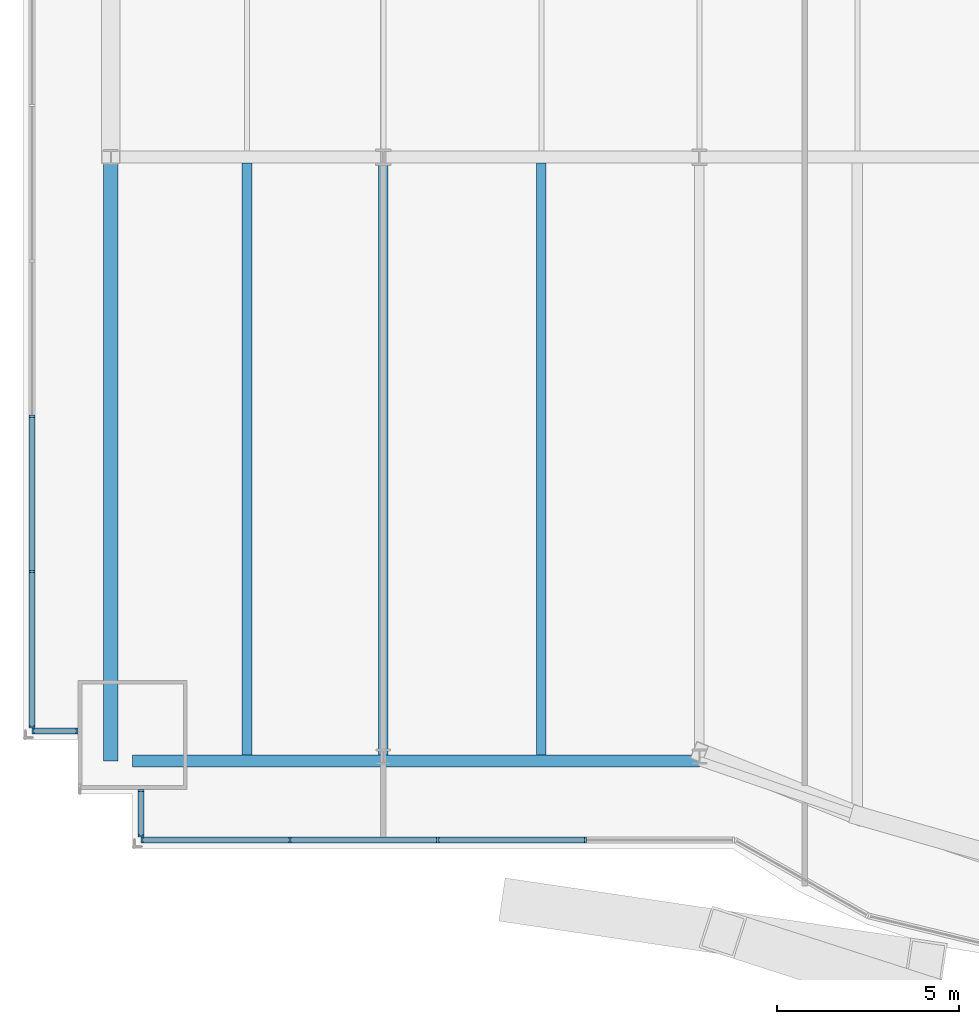
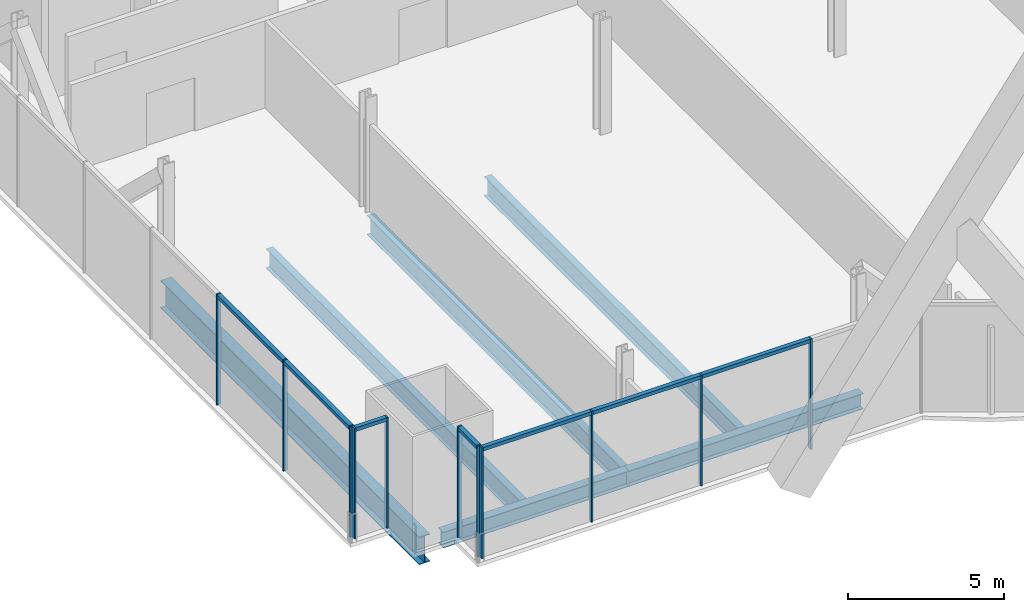
# One storey, part 4 of 23: 18 members, 6 beams, 4 elements without a shape of their own.
"""IFC4 building model written with IfcOpenShell, lengths in metres."""

from ifc_helpers import new_model, si_unit, direction, frame, origin, origin_2d, place, context, subcontext, project, spatial, rectangle, i_section, extrude, material, material_profile, profile_set, type_object, element, aggregate, save


model = new_model("IFC4")

# Units and contexts
model_context = context("Model", 3, precision=1e-05, world=origin(), true_north=direction((0.0, 1.0)))
body_context = subcontext(model_context, "Body", "Model", "MODEL_VIEW")
ifc_project = project(units=[si_unit("LENGTHUNIT", "METRE"), si_unit("AREAUNIT", "SQUARE_METRE"), si_unit("VOLUMEUNIT", "CUBIC_METRE"), si_unit("PLANEANGLEUNIT", "RADIAN"), si_unit("MASSUNIT", "GRAM", prefix="KILO")], contexts=[model_context])

# Site, building, storey
site_placement = place(None, origin())
site = spatial("IfcSite", under=ifc_project, at=site_placement, CompositionType="ELEMENT")
building_placement = place(site_placement, origin())
building = spatial("IfcBuilding", under=site, at=building_placement, Name="Bicima Exchange Tower", CompositionType="ELEMENT")
storey_placement = place(building_placement, frame((0.0, 0.0, 53.0)))
storey = spatial("IfcBuildingStorey", under=building, at=storey_placement, Name="L10", CompositionType="ELEMENT", Elevation=53.0)

# Curtain wall, members
ifc_material_1 = material(Name="Anodised bronze aluminium", Category="aluminium")
curtain_wall_type_1 = type_object("IfcCurtainWallType", Name="End face glass wall", PredefinedType="NOTDEFINED", material=ifc_material_1)
curtain_wall_1_placement = place(storey_placement, origin())
curtain_wall_1 = element("IfcCurtainWall", 1, at=curtain_wall_1_placement, inside=storey, type_object=curtain_wall_type_1, Name="End face glass wall L10 run 2", PredefinedType="NOTDEFINED")
ifc_material_profile_1 = material_profile(ifc_material_1, rectangle(XDim=0.159912109375, YDim=0.06005859375, at=origin_2d()))
ifc_profile_set_1 = profile_set([ifc_material_profile_1], Name="Anodised bronze aluminium")
member_type_1 = type_object("IfcMemberType", Name="End face glass wall mullion 60 x 160", PredefinedType="MULLION", material=ifc_profile_set_1)
member_1_placement = place(storey_placement, frame((-35.77001953125, -29.1328125, 0.0), z_axis=(0.0, 0.0, 1.0), x_axis=(1.0, 0.0, 0.0)))
member_1 = element("IfcMember", 2, at=member_1_placement, type_object=member_type_1, Name="End face glass wall mullion 5", PredefinedType="MULLION", context=body_context, shape_type="SweptSolid", body=[
    extrude(rectangle(XDim=0.159912109375, YDim=0.06005859375, at=origin_2d()), origin(), (0.0, 0.0, 1.0), 4.35009765625),
])
member_2_placement = place(storey_placement, frame((-35.77001953125, -33.408203125, 0.0), z_axis=(0.0, 0.0, 1.0), x_axis=(1.0, 0.0, 0.0)))
member_2 = element("IfcMember", 3, at=member_2_placement, type_object=member_type_1, Name="End face glass wall mullion 6", PredefinedType="MULLION", context=body_context, shape_type="SweptSolid", body=[
    extrude(rectangle(XDim=0.159912109375, YDim=0.06005859375, at=origin_2d()), origin(), (0.0, 0.0, 1.0), 4.35009765625),
])
member_3_placement = place(storey_placement, frame((-35.77001953125, -37.68408203125, 0.0), z_axis=(0.0, 0.0, 1.0), x_axis=(1.0, 0.0, 0.0)))
member_3 = element("IfcMember", 4, at=member_3_placement, type_object=member_type_1, Name="End face glass wall mullion 7", PredefinedType="MULLION", context=body_context, shape_type="SweptSolid", body=[
    extrude(rectangle(XDim=0.159912109375, YDim=0.06005859375, at=origin_2d()), origin(), (0.0, 0.0, 1.0), 4.35009765625),
])
ifc_material_profile_2 = material_profile(ifc_material_1, rectangle(XDim=0.159912109375, YDim=0.139892578125, at=origin_2d()))
ifc_profile_set_2 = profile_set([ifc_material_profile_2], Name="Anodised bronze aluminium")
member_type_2 = type_object("IfcMemberType", Name="End face glass wall transom 140 x 160", PredefinedType="USERDEFINED", material=ifc_profile_set_2)
member_4_placement = place(storey_placement, frame((-35.77001953125, -29.16259765625, 4.280029296875), z_axis=(0.0, -1.0, 0.0), x_axis=(1.0, 0.0, 0.0)))
member_4 = element("IfcMember", 5, at=member_4_placement, type_object=member_type_2, Name="End face glass wall transom 5.1", ObjectType="TRANSOM", PredefinedType="USERDEFINED", context=body_context, shape_type="SweptSolid", body=[
    extrude(rectangle(XDim=0.159912109375, YDim=0.139892578125, at=origin_2d()), origin(), (0.0, 0.0, 1.0), 4.2158203125),
])
member_5_placement = place(storey_placement, frame((-35.77001953125, -33.438232421875, 4.280029296875), z_axis=(0.0, -1.0, 0.0), x_axis=(1.0, 0.0, 0.0)))
member_5 = element("IfcMember", 6, at=member_5_placement, type_object=member_type_2, Name="End face glass wall transom 6.1", ObjectType="TRANSOM", PredefinedType="USERDEFINED", context=body_context, shape_type="SweptSolid", body=[
    extrude(rectangle(XDim=0.159912109375, YDim=0.139892578125, at=origin_2d()), origin(), (0.0, 0.0, 1.0), 4.2158203125),
])
aggregate(curtain_wall_1, [member_1, member_2, member_3, member_4, member_5])

# Beams
ifc_material_2 = material(Name="Steel ASTM A992 Gr 50", Category="steel")
ifc_material_profile_3 = material_profile(ifc_material_2, i_section(OverallWidth=0.4013671875, OverallDepth=1.089599609375, WebThickness=0.01806640625, FlangeThickness=0.031005859375, at=origin_2d()))
ifc_profile_set_3 = profile_set([ifc_material_profile_3], Name="Steel ASTM A992 Gr 50")
beam_type_1 = type_object("IfcBeamType", Name="End girder W44x230", PredefinedType="BEAM", material=ifc_profile_set_3)
beam_1_placement = place(storey_placement, frame((-33.60009765625, -22.0, -0.69482421875), z_axis=(0.0, -1.0, 0.0), x_axis=(1.0, 0.0, 0.0)))
element("IfcBeam", 7, at=beam_1_placement, inside=storey, type_object=beam_type_1, Name="End girder", PredefinedType="BEAM", context=body_context, shape_type="SweptSolid", body=[
    extrude(i_section(OverallWidth=0.4013671875, OverallDepth=1.089599609375, WebThickness=0.01806640625, FlangeThickness=0.031005859375, at=origin_2d()), origin(), (0.0, 0.0, 1.0), 16.6240234375),
])
ifc_material_profile_4 = material_profile(ifc_material_2, i_section(OverallWidth=0.2666015625, OverallDepth=0.75439453125, WebThickness=0.01318359375, FlangeThickness=0.01708984375, at=origin_2d()))
ifc_profile_set_4 = profile_set([ifc_material_profile_4], Name="Steel ASTM A992 Gr 50")
beam_type_2 = type_object("IfcBeamType", Name="Floor beam W30x99", PredefinedType="JOIST", material=ifc_profile_set_4)
for number, where, z_axis, x_axis, name in (
    (8, (-29.85009765625, -22.16259765625, -0.527099609375), (0.0, -1.0, 0.0), (1.0, 0.0, 0.0), "Floor beam"),
    (9, (-26.10009765625, -22.16259765625, -0.527099609375), (0.0, -1.0, 0.0), (1.0, 0.0, 0.0), "Floor beam"),
    (10, (-21.75, -22.16259765625, -0.527099609375), (0.0, -1.0, 0.0), (1.0, 0.0, 0.0), "Floor beam"),
):
    element("IfcBeam", number, at=place(storey_placement, frame(where, z_axis=z_axis, x_axis=x_axis)), inside=storey, type_object=beam_type_2, Name=name, PredefinedType="JOIST", context=body_context, shape_type="SweptSolid", body=[
        extrude(i_section(OverallWidth=0.2666015625, OverallDepth=0.75439453125, WebThickness=0.01318359375, FlangeThickness=0.01708984375, at=origin_2d()), origin(), (0.0, 0.0, 1.0), 16.298828125),
    ])
ifc_material_profile_5 = material_profile(ifc_material_2, i_section(OverallWidth=0.3251953125, OverallDepth=0.612060546875, WebThickness=0.0126953125, FlangeThickness=0.01904296875, at=origin_2d()))
ifc_profile_set_5 = profile_set([ifc_material_profile_5], Name="Steel ASTM A992 Gr 50")
beam_type_3 = type_object("IfcBeamType", Name="Front girder W24x104", PredefinedType="BEAM", material=ifc_profile_set_5)
beam_2_placement = place(storey_placement, frame((-33.0, -38.6240234375, -0.4560546875), z_axis=(1.0, 0.0, 0.0), x_axis=(0.0, 1.0, 0.0)))
element("IfcBeam", 11, at=beam_2_placement, inside=storey, type_object=beam_type_3, Name="Front girder", PredefinedType="BEAM", context=body_context, shape_type="SweptSolid", body=[
    extrude(i_section(OverallWidth=0.3251953125, OverallDepth=0.612060546875, WebThickness=0.0126953125, FlangeThickness=0.01904296875, at=origin_2d()), origin(), (0.0, 0.0, 1.0), 6.89990234375),
])
beam_3_placement = place(storey_placement, frame((-26.10009765625, -38.6240234375, -0.4560546875), z_axis=(1.0, 0.0, 0.0), x_axis=(0.0, 1.0, 0.0)))
element("IfcBeam", 12, at=beam_3_placement, inside=storey, type_object=beam_type_3, Name="Front girder", PredefinedType="BEAM", context=body_context, shape_type="SweptSolid", body=[
    extrude(i_section(OverallWidth=0.3251953125, OverallDepth=0.612060546875, WebThickness=0.0126953125, FlangeThickness=0.01904296875, at=origin_2d()), origin(), (0.0, 0.0, 1.0), 8.7001953125),
])

# Curtain wall, members
curtain_wall_type_2 = type_object("IfcCurtainWallType", Name="Front glass wall", PredefinedType="NOTDEFINED", material=ifc_material_1)
curtain_wall_2_placement = place(storey_placement, origin())
curtain_wall_2 = element("IfcCurtainWall", 13, at=curtain_wall_2_placement, inside=storey, type_object=curtain_wall_type_2, Name="Front glass wall L10 run 3", PredefinedType="NOTDEFINED")
member_type_3 = type_object("IfcMemberType", Name="Front glass wall mullion 60 x 160", PredefinedType="MULLION", material=ifc_profile_set_1)
member_6_placement = place(storey_placement, frame((-35.739990234375, -37.7939453125, 0.0), z_axis=(0.0, 0.0, 1.0), x_axis=(0.0, 1.0, 0.0)))
member_6 = element("IfcMember", 14, at=member_6_placement, type_object=member_type_3, Name="Front glass wall mullion 1", PredefinedType="MULLION", context=body_context, shape_type="SweptSolid", body=[
    extrude(rectangle(XDim=0.159912109375, YDim=0.06005859375, at=origin_2d()), origin(), (0.0, 0.0, 1.0), 4.35009765625),
])
member_7_placement = place(storey_placement, frame((-34.530029296875, -37.7939453125, 0.0), z_axis=(0.0, 0.0, 1.0), x_axis=(0.0, 1.0, 0.0)))
member_7 = element("IfcMember", 15, at=member_7_placement, type_object=member_type_3, Name="Front glass wall mullion 2", PredefinedType="MULLION", context=body_context, shape_type="SweptSolid", body=[
    extrude(rectangle(XDim=0.159912109375, YDim=0.06005859375, at=origin_2d()), origin(), (0.0, 0.0, 1.0), 4.35009765625),
])

curtain_wall_3_placement = place(storey_placement, origin())
curtain_wall_3 = element("IfcCurtainWall", 16, at=curtain_wall_3_placement, inside=storey, type_object=curtain_wall_type_2, Name="Front glass wall L10 run 4", PredefinedType="NOTDEFINED")
member_8_placement = place(storey_placement, frame((-32.77001953125, -39.431884765625, 0.0), z_axis=(0.0, 0.0, 1.0), x_axis=(1.0, 0.0, 0.0)))
member_8 = element("IfcMember", 17, at=member_8_placement, type_object=member_type_3, Name="Front glass wall mullion 1", PredefinedType="MULLION", context=body_context, shape_type="SweptSolid", body=[
    extrude(rectangle(XDim=0.159912109375, YDim=0.06005859375, at=origin_2d()), origin(), (0.0, 0.0, 1.0), 4.35009765625),
])
member_9_placement = place(storey_placement, frame((-32.77001953125, -40.68408203125, 0.0), z_axis=(0.0, 0.0, 1.0), x_axis=(1.0, 0.0, 0.0)))
member_9 = element("IfcMember", 18, at=member_9_placement, type_object=member_type_3, Name="Front glass wall mullion 2", PredefinedType="MULLION", context=body_context, shape_type="SweptSolid", body=[
    extrude(rectangle(XDim=0.159912109375, YDim=0.06005859375, at=origin_2d()), origin(), (0.0, 0.0, 1.0), 4.35009765625),
])

curtain_wall_4_placement = place(storey_placement, origin())
curtain_wall_4 = element("IfcCurtainWall", 19, at=curtain_wall_4_placement, inside=storey, type_object=curtain_wall_type_2, Name="Front glass wall L10 run 5", PredefinedType="NOTDEFINED")
member_10_placement = place(storey_placement, frame((-32.739990234375, -40.7939453125, 0.0), z_axis=(0.0, 0.0, 1.0), x_axis=(0.0, 1.0, 0.0)))
member_10 = element("IfcMember", 20, at=member_10_placement, type_object=member_type_3, Name="Front glass wall mullion 1", PredefinedType="MULLION", context=body_context, shape_type="SweptSolid", body=[
    extrude(rectangle(XDim=0.159912109375, YDim=0.06005859375, at=origin_2d()), origin(), (0.0, 0.0, 1.0), 4.35009765625),
])
member_11_placement = place(storey_placement, frame((-28.67041015625, -40.7939453125, 0.0), z_axis=(0.0, 0.0, 1.0), x_axis=(0.0, 1.0, 0.0)))
member_11 = element("IfcMember", 21, at=member_11_placement, type_object=member_type_3, Name="Front glass wall mullion 2", PredefinedType="MULLION", context=body_context, shape_type="SweptSolid", body=[
    extrude(rectangle(XDim=0.159912109375, YDim=0.06005859375, at=origin_2d()), origin(), (0.0, 0.0, 1.0), 4.35009765625),
])
member_12_placement = place(storey_placement, frame((-24.60107421875, -40.7939453125, 0.0), z_axis=(0.0, 0.0, 1.0), x_axis=(0.0, 1.0, 0.0)))
member_12 = element("IfcMember", 22, at=member_12_placement, type_object=member_type_3, Name="Front glass wall mullion 3", PredefinedType="MULLION", context=body_context, shape_type="SweptSolid", body=[
    extrude(rectangle(XDim=0.159912109375, YDim=0.06005859375, at=origin_2d()), origin(), (0.0, 0.0, 1.0), 4.35009765625),
])
member_13_placement = place(storey_placement, frame((-20.531494140625, -40.7939453125, 0.0), z_axis=(0.0, 0.0, 1.0), x_axis=(0.0, 1.0, 0.0)))
member_13 = element("IfcMember", 23, at=member_13_placement, type_object=member_type_3, Name="Front glass wall mullion 4", PredefinedType="MULLION", context=body_context, shape_type="SweptSolid", body=[
    extrude(rectangle(XDim=0.159912109375, YDim=0.06005859375, at=origin_2d()), origin(), (0.0, 0.0, 1.0), 4.35009765625),
])

# Member
member_type_4 = type_object("IfcMemberType", Name="Front glass wall transom 140 x 160", PredefinedType="USERDEFINED", material=ifc_profile_set_2)
member_14_placement = place(storey_placement, frame((-35.7099609375, -37.7939453125, 4.280029296875), z_axis=(1.0, 0.0, 0.0), x_axis=(0.0, 1.0, 0.0)))
member_14 = element("IfcMember", 24, at=member_14_placement, type_object=member_type_4, Name="Front glass wall transom 1.1", ObjectType="TRANSOM", PredefinedType="USERDEFINED", context=body_context, shape_type="SweptSolid", body=[
    extrude(rectangle(XDim=0.159912109375, YDim=0.139892578125, at=origin_2d()), origin(), (0.0, 0.0, 1.0), 1.14990234375),
])

aggregate(curtain_wall_2, [member_6, member_7, member_14])

member_15_placement = place(storey_placement, frame((-32.77001953125, -39.4619140625, 4.280029296875), z_axis=(0.0, -1.0, 0.0), x_axis=(1.0, 0.0, 0.0)))
member_15 = element("IfcMember", 25, at=member_15_placement, type_object=member_type_4, Name="Front glass wall transom 1.1", ObjectType="TRANSOM", PredefinedType="USERDEFINED", context=body_context, shape_type="SweptSolid", body=[
    extrude(rectangle(XDim=0.159912109375, YDim=0.139892578125, at=origin_2d()), origin(), (0.0, 0.0, 1.0), 1.192138671875),
])

aggregate(curtain_wall_3, [member_8, member_9, member_15])

member_16_placement = place(storey_placement, frame((-32.7099609375, -40.7939453125, 4.280029296875), z_axis=(1.0, 0.0, 0.0), x_axis=(0.0, 1.0, 0.0)))
member_16 = element("IfcMember", 26, at=member_16_placement, type_object=member_type_4, Name="Front glass wall transom 1.1", ObjectType="TRANSOM", PredefinedType="USERDEFINED", context=body_context, shape_type="SweptSolid", body=[
    extrude(rectangle(XDim=0.159912109375, YDim=0.139892578125, at=origin_2d()), origin(), (0.0, 0.0, 1.0), 4.009521484375),
])

member_17_placement = place(storey_placement, frame((-28.640380859375, -40.7939453125, 4.280029296875), z_axis=(1.0, 0.0, 0.0), x_axis=(0.0, 1.0, 0.0)))
member_17 = element("IfcMember", 27, at=member_17_placement, type_object=member_type_4, Name="Front glass wall transom 2.1", ObjectType="TRANSOM", PredefinedType="USERDEFINED", context=body_context, shape_type="SweptSolid", body=[
    extrude(rectangle(XDim=0.159912109375, YDim=0.139892578125, at=origin_2d()), origin(), (0.0, 0.0, 1.0), 4.00927734375),
])

member_18_placement = place(storey_placement, frame((-24.571044921875, -40.7939453125, 4.280029296875), z_axis=(1.0, 0.0, 0.0), x_axis=(0.0, 1.0, 0.0)))
member_18 = element("IfcMember", 28, at=member_18_placement, type_object=member_type_4, Name="Front glass wall transom 3.1", ObjectType="TRANSOM", PredefinedType="USERDEFINED", context=body_context, shape_type="SweptSolid", body=[
    extrude(rectangle(XDim=0.159912109375, YDim=0.139892578125, at=origin_2d()), origin(), (0.0, 0.0, 1.0), 4.009521484375),
])

aggregate(curtain_wall_4, [member_10, member_11, member_12, member_13, member_16, member_17, member_18])

save(model, "model.ifc")
